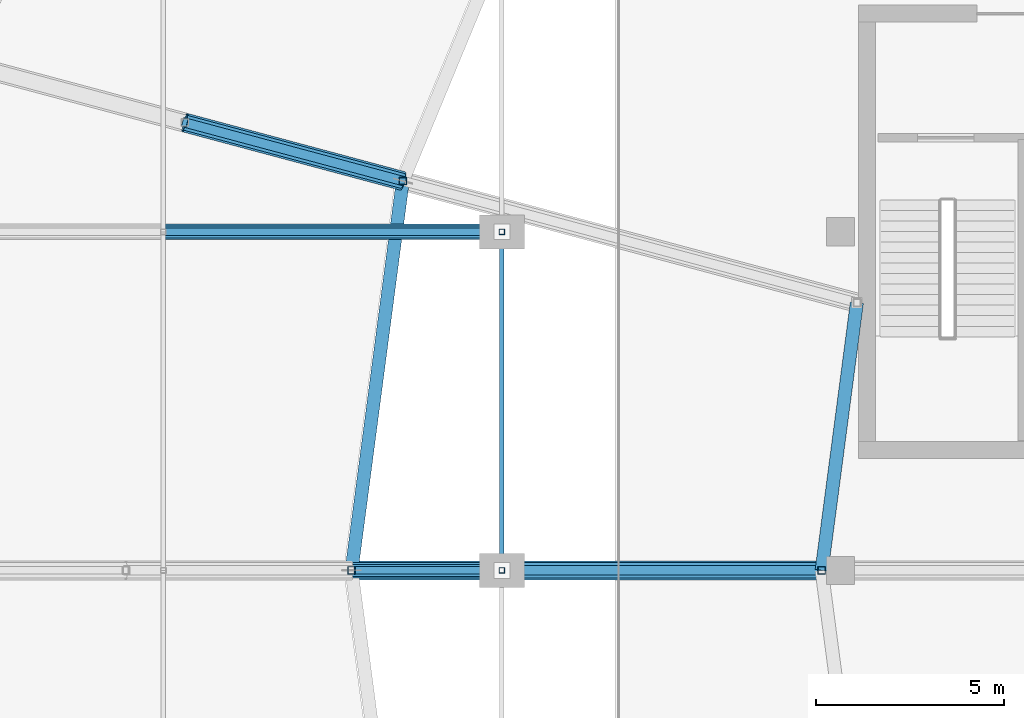
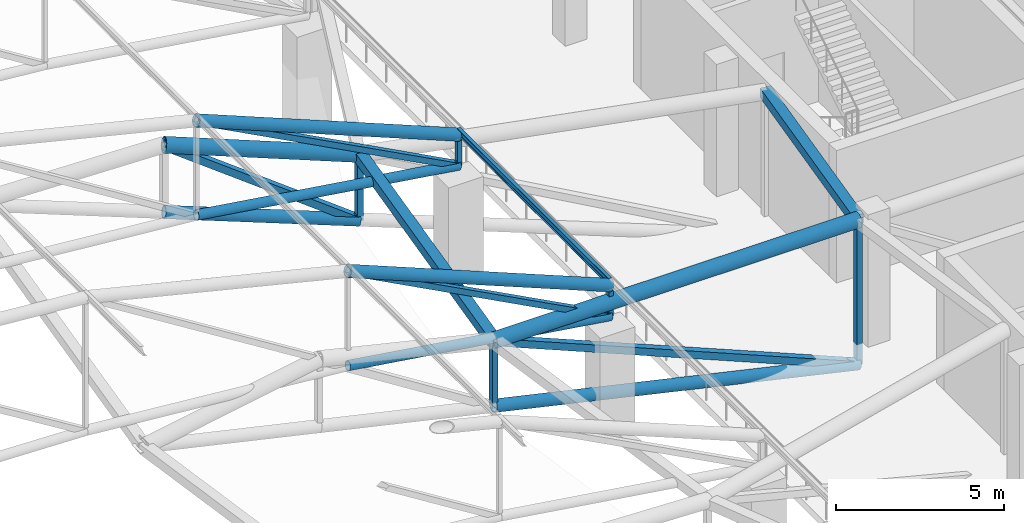
# One storey, part 51 of 167: 20 members.
"""IFC4 building model written with IfcOpenShell, lengths in metres."""

from ifc_helpers import new_model, si_unit, direction, frame, origin, origin_2d, place, context, subcontext, project, spatial, hollow_rectangle, hollow_circle, i_section, extrude, material, material_profile, profile_set, type_object, element, save


model = new_model("IFC4")

# Units and contexts
model_context = context("Model", 3, precision=1e-05, world=origin(), true_north=direction((0.0, 1.0)))
body_context = subcontext(model_context, "Body", "Model", "MODEL_VIEW")
ifc_project = project(units=[si_unit("LENGTHUNIT", "METRE"), si_unit("AREAUNIT", "SQUARE_METRE"), si_unit("VOLUMEUNIT", "CUBIC_METRE"), si_unit("PLANEANGLEUNIT", "RADIAN"), si_unit("MASSUNIT", "GRAM", prefix="KILO")], contexts=[model_context])

# Site, building, storey
site_placement = place(None, origin())
site = spatial("IfcSite", under=ifc_project, at=site_placement, CompositionType="ELEMENT")
building_placement = place(site_placement, origin())
building = spatial("IfcBuilding", under=site, at=building_placement, Name="Dornveld Trade and Exhibition Forum", CompositionType="ELEMENT")
storey_placement = place(building_placement, frame((0.0, 0.0, 16.800048828125)))
storey = spatial("IfcBuildingStorey", under=building, at=storey_placement, Name="L03", CompositionType="ELEMENT", Elevation=16.800048828125)

# Members
ifc_material_1 = material(Name="Steel S355J2", Category="steel")
ifc_material_profile_1 = material_profile(ifc_material_1, hollow_circle(Radius=0.161865234375, WallThickness=0.01611328125, at=origin_2d()), Name="CHS 323.9x16")
ifc_profile_set_1 = profile_set([ifc_material_profile_1], Name="Steel S355J2")
member_type_1 = type_object("IfcMemberType", Name="MEM-ARCH-BC", PredefinedType="CHORD", material=ifc_profile_set_1)
for number, where, z_axis, x_axis, name in (
    (1, (72.0, 81.0, 5.283203125), (0.989204758987, 0.0, -0.146539908551), (0.0, 1.0, 0.0), "H3 truss 6 tie chord 6"),
    (2, (72.0, 90.0, 5.283203125), (0.989204758987, 0.0, -0.146539908551), (0.0, 1.0, 0.0), "H3 truss 7 tie chord 6"),
):
    element("IfcMember", number, at=place(storey_placement, frame(where, z_axis=z_axis, x_axis=x_axis)), inside=storey, type_object=member_type_1, Name=name, PredefinedType="CHORD", context=body_context, shape_type="SweptSolid", body=[
        extrude(hollow_circle(Radius=0.161865234375, WallThickness=0.01611328125, at=origin_2d()), origin(), (0.0, 0.0, 1.0), 9.09814453125),
    ])
ifc_material_2 = material(Name="Steel S355J2", Category="steel")
ifc_material_profile_2 = material_profile(ifc_material_2, hollow_rectangle(XDim=0.14990234375, YDim=0.14990234375, WallThickness=0.008056640625, at=origin_2d()), Name="SHS 150x150x8")
ifc_profile_set_2 = profile_set([ifc_material_profile_2], Name="Steel S355J2")
member_type_2 = type_object("IfcMemberType", Name="MEM-ARCH-STR", PredefinedType="STRUT", material=ifc_profile_set_2)
for number, where, z_axis, x_axis, name in (
    (3, (81.0, 81.0, 3.949951171875), (0.0, 0.0, 1.0), (1.0, 0.0, 0.0), "H3 truss 6 end strut"),
    (4, (81.0, 90.0, 3.949951171875), (0.0, 0.0, 1.0), (1.0, 0.0, 0.0), "H3 truss 7 end strut"),
):
    element("IfcMember", number, at=place(storey_placement, frame(where, z_axis=z_axis, x_axis=x_axis)), inside=storey, type_object=member_type_2, Name=name, PredefinedType="STRUT", context=body_context, shape_type="SweptSolid", body=[
        extrude(hollow_rectangle(XDim=0.14990234375, YDim=0.14990234375, WallThickness=0.008056640625, at=origin_2d()), origin(), (0.0, 0.0, 1.0), 1.10009765625),
    ])
ifc_material_3 = material(Name="Steel S355J2", Category="steel")
ifc_material_profile_3 = material_profile(ifc_material_3, hollow_circle(Radius=0.203125, WallThickness=0.02001953125, at=origin_2d()), Name="CHS 406.4x20")
ifc_profile_set_3 = profile_set([ifc_material_profile_3], Name="Steel S355J2")
member_type_3 = type_object("IfcMemberType", Name="MEM-ARCH-TC", PredefinedType="CHORD", material=ifc_profile_set_3)
for number, where, z_axis, x_axis, name in (
    (5, (72.0, 81.0, 8.716552734375), (0.926098211611, 0.0, -0.377282523383), (0.0, 1.0, 0.0), "H3 truss 6 top chord 6"),
    (6, (72.0, 90.0, 8.716552734375), (0.926098211611, 0.0, -0.377282523383), (0.0, 1.0, 0.0), "H3 truss 7 top chord 6"),
):
    element("IfcMember", number, at=place(storey_placement, frame(where, z_axis=z_axis, x_axis=x_axis)), inside=storey, type_object=member_type_3, Name=name, PredefinedType="CHORD", context=body_context, shape_type="SweptSolid", body=[
        extrude(hollow_circle(Radius=0.203125, WallThickness=0.02001953125, at=origin_2d()), origin(), (0.0, 0.0, 1.0), 9.71826171875),
    ])
ifc_material_4 = material(Name="Steel S355J2", Category="steel")
ifc_material_profile_4 = material_profile(ifc_material_4, hollow_rectangle(XDim=0.199951171875, YDim=0.199951171875, WallThickness=0.010009765625, at=origin_2d()), Name="SHS 200x200x10")
ifc_profile_set_4 = profile_set([ifc_material_profile_4], Name="Steel S355J2")
member_type_4 = type_object("IfcMemberType", Name="MEM-ARCH-WEB", PredefinedType="BRACE", material=ifc_profile_set_4)
for number, where, z_axis, x_axis, name in (
    (7, (81.0, 81.0, 3.949951171875), (-0.883710934211, 0.0, 0.468033102201), (0.0, -1.0, 0.0), "H3 truss 6 web 6"),
    (8, (81.0, 90.0, 3.949951171875), (-0.883710934211, 0.0, 0.468033102201), (0.0, -1.0, 0.0), "H3 truss 7 web 6"),
):
    element("IfcMember", number, at=place(storey_placement, frame(where, z_axis=z_axis, x_axis=x_axis)), inside=storey, type_object=member_type_4, Name=name, PredefinedType="BRACE", context=body_context, shape_type="SweptSolid", body=[
        extrude(hollow_rectangle(XDim=0.199951171875, YDim=0.199951171875, WallThickness=0.010009765625, at=origin_2d()), origin(), (0.0, 0.0, 1.0), 10.184326171875),
    ])
ifc_material_5 = material(Name="Steel S355J2", Category="steel")
ifc_material_profile_5 = material_profile(ifc_material_5, hollow_circle(Radius=0.203125, WallThickness=0.02001953125, at=origin_2d()), Name="CHS 406.4x20")
ifc_profile_set_5 = profile_set([ifc_material_profile_5], Name="Steel S355J2")
member_type_5 = type_object("IfcMemberType", Name="MEM-DISC-BC", PredefinedType="CHORD", material=ifc_profile_set_5)
member_1_placement = place(storey_placement, frame((78.363037109375, 91.352783203125, 2.07568359375), z_axis=(-0.941958781399, 0.252403210265, 0.221373606362), x_axis=(-0.258824896092, -0.965924258502, 0.0)))
element("IfcMember", 9, at=member_1_placement, inside=storey, type_object=member_type_5, Name="Roof disc radial R12 conical bottom chord 3", PredefinedType="CHORD", context=body_context, shape_type="SweptSolid", body=[
    extrude(hollow_circle(Radius=0.203125, WallThickness=0.02001953125, at=origin_2d()), origin(), (0.0, 0.0, 1.0), 6.15283203125),
])
member_2_placement = place(storey_placement, frame((89.5, 81.0, -0.76220703125), z_axis=(-0.975183720687, 0.0, 0.221397179087), x_axis=(0.0, -1.0, 0.0)))
element("IfcMember", 10, at=member_2_placement, inside=storey, type_object=member_type_5, Name="Roof disc radial R13 conical bottom chord 2", PredefinedType="CHORD", context=body_context, shape_type="SweptSolid", body=[
    extrude(hollow_circle(Radius=0.203125, WallThickness=0.02001953125, at=origin_2d()), origin(), (0.0, 0.0, 1.0), 12.818115234375),
])
ifc_material_6 = material(Name="Steel S355J2", Category="steel")
ifc_material_profile_6 = material_profile(ifc_material_6, hollow_rectangle(XDim=0.35009765625, YDim=0.35009765625, WallThickness=0.01611328125, at=origin_2d()), Name="SHS 350x350x16")
ifc_profile_set_6 = profile_set([ifc_material_profile_6], Name="Steel S355J2")
member_type_6 = type_object("IfcMemberType", Name="MEM-DISC-RING", PredefinedType="CHORD", material=ifc_profile_set_6)
member_3_placement = place(storey_placement, frame((90.43701171875, 88.117431640625, 4.449951171875), z_axis=(-0.130524010575, -0.99144514859, 0.0), x_axis=(0.99144514859, -0.130524010575, 0.0)))
element("IfcMember", 11, at=member_3_placement, inside=storey, type_object=member_type_6, Name="Roof disc ring 2 chord 12", PredefinedType="CHORD", context=body_context, shape_type="SweptSolid", body=[
    extrude(hollow_rectangle(XDim=0.35009765625, YDim=0.35009765625, WallThickness=0.01611328125, at=origin_2d()), origin(), (0.0, 0.0, 1.0), 7.178955078125),
])
member_4_placement = place(storey_placement, frame((78.363037109375, 91.352783203125, 4.449951171875), z_axis=(-0.130532531574, -0.991444026761, 0.0), x_axis=(0.991444026761, -0.130532531574, 0.0)))
element("IfcMember", 12, at=member_4_placement, inside=storey, type_object=member_type_6, Name="Roof disc ring 3 chord 12", PredefinedType="CHORD", context=body_context, shape_type="SweptSolid", body=[
    extrude(hollow_rectangle(XDim=0.35009765625, YDim=0.35009765625, WallThickness=0.01611328125, at=origin_2d()), origin(), (0.0, 0.0, 1.0), 10.442138671875),
])
ifc_material_7 = material(Name="Steel S355J2", Category="steel")
ifc_material_profile_7 = material_profile(ifc_material_7, hollow_rectangle(XDim=0.199951171875, YDim=0.199951171875, WallThickness=0.010009765625, at=origin_2d()), Name="SHS 200x200x10")
ifc_profile_set_7 = profile_set([ifc_material_profile_7], Name="Steel S355J2")
member_type_7 = type_object("IfcMemberType", Name="MEM-DISC-STR", PredefinedType="STRUT", material=ifc_profile_set_7)
member_5_placement = place(storey_placement, frame((78.363037109375, 91.352783203125, 2.07568359375), z_axis=(0.0, 0.0, 1.0), x_axis=(1.0, 0.0, 0.0)))
element("IfcMember", 13, at=member_5_placement, inside=storey, type_object=member_type_7, Name="Roof disc radial R12 strut 3", PredefinedType="STRUT", context=body_context, shape_type="SweptSolid", body=[
    extrude(hollow_rectangle(XDim=0.199951171875, YDim=0.199951171875, WallThickness=0.010009765625, at=origin_2d()), origin(), (0.0, 0.0, 1.0), 2.374267578125),
])
member_6_placement = place(storey_placement, frame((89.5, 81.0, -0.76220703125), z_axis=(0.0, 0.0, 1.0), x_axis=(1.0, 0.0, 0.0)))
element("IfcMember", 14, at=member_6_placement, inside=storey, type_object=member_type_7, Name="Roof disc radial R13 strut 2", PredefinedType="STRUT", context=body_context, shape_type="SweptSolid", body=[
    extrude(hollow_rectangle(XDim=0.199951171875, YDim=0.199951171875, WallThickness=0.010009765625, at=origin_2d()), origin(), (0.0, 0.0, 1.0), 5.212158203125),
])
member_7_placement = place(storey_placement, frame((77.0, 81.0, 2.07568359375), z_axis=(0.0, 0.0, 1.0), x_axis=(1.0, 0.0, 0.0)))
element("IfcMember", 15, at=member_7_placement, inside=storey, type_object=member_type_7, Name="Roof disc radial R13 strut 3", PredefinedType="STRUT", context=body_context, shape_type="SweptSolid", body=[
    extrude(hollow_rectangle(XDim=0.199951171875, YDim=0.199951171875, WallThickness=0.010009765625, at=origin_2d()), origin(), (0.0, 0.0, 1.0), 2.374267578125),
])
ifc_material_8 = material(Name="Steel S355J2", Category="steel")
ifc_material_profile_8 = material_profile(ifc_material_8, hollow_circle(Radius=0.25390625, WallThickness=0.02490234375, at=origin_2d()), Name="CHS 508x25")
ifc_profile_set_8 = profile_set([ifc_material_profile_8], Name="Steel S355J2")
member_type_8 = type_object("IfcMemberType", Name="MEM-DISC-TC", PredefinedType="CHORD", material=ifc_profile_set_8)
member_8_placement = place(storey_placement, frame((78.363037109375, 91.352783203125, 4.449951171875), z_axis=(-0.939782238472, 0.251819993215, 0.231075821474), x_axis=(-0.258824896092, -0.965924258502, 0.0)))
element("IfcMember", 16, at=member_8_placement, inside=storey, type_object=member_type_8, Name="Roof disc radial R12 top chord 3", PredefinedType="CHORD", context=body_context, shape_type="SweptSolid", body=[
    extrude(hollow_circle(Radius=0.25390625, WallThickness=0.02490234375, at=origin_2d()), origin(), (0.0, 0.0, 1.0), 6.1669921875),
])
member_9_placement = place(storey_placement, frame((89.5, 81.0, 4.449951171875), z_axis=(-1.0, 0.0, 0.0), x_axis=(0.0, -1.0, 0.0)))
element("IfcMember", 17, at=member_9_placement, inside=storey, type_object=member_type_8, Name="Roof disc radial R13 top chord 2", PredefinedType="CHORD", context=body_context, shape_type="SweptSolid", body=[
    extrude(hollow_circle(Radius=0.25390625, WallThickness=0.02490234375, at=origin_2d()), origin(), (0.0, 0.0, 1.0), 12.5),
])
ifc_material_9 = material(Name="Steel S355J2", Category="steel")
ifc_material_profile_9 = material_profile(ifc_material_9, hollow_rectangle(XDim=0.25, YDim=0.25, WallThickness=0.012451171875, at=origin_2d()), Name="SHS 250x250x12.5")
ifc_profile_set_9 = profile_set([ifc_material_profile_9], Name="Steel S355J2")
member_type_9 = type_object("IfcMemberType", Name="MEM-DISC-WEB", PredefinedType="BRACE", material=ifc_profile_set_9)
member_10_placement = place(storey_placement, frame((78.363037109375, 91.352783203125, 2.07568359375), z_axis=(-0.816077646612, 0.218672644597, 0.534976213681), x_axis=(-0.258824896092, -0.965924258502, 0.0)))
element("IfcMember", 18, at=member_10_placement, inside=storey, type_object=member_type_9, Name="Roof disc radial R12 web 3", PredefinedType="BRACE", context=body_context, shape_type="SweptSolid", body=[
    extrude(hollow_rectangle(XDim=0.25, YDim=0.25, WallThickness=0.012451171875, at=origin_2d()), origin(), (0.0, 0.0, 1.0), 7.101806640625),
])
member_11_placement = place(storey_placement, frame((89.5, 81.0, -0.76220703125), z_axis=(-0.922976623816, 0.0, 0.384856014489), x_axis=(0.0, -1.0, 0.0)))
element("IfcMember", 19, at=member_11_placement, inside=storey, type_object=member_type_9, Name="Roof disc radial R13 web 2", PredefinedType="BRACE", context=body_context, shape_type="SweptSolid", body=[
    extrude(hollow_rectangle(XDim=0.25, YDim=0.25, WallThickness=0.012451171875, at=origin_2d()), origin(), (0.0, 0.0, 1.0), 13.543212890625),
])
ifc_material_10 = material(Name="Steel S355J2", Category="steel")
ifc_material_profile_10 = material_profile(ifc_material_10, i_section(OverallWidth=0.1201171875, OverallDepth=0.239990234375, WebThickness=0.006103515625, FlangeThickness=0.009765625, FilletRadius=0.014892578125, at=origin_2d()), Name="IPE 240")
ifc_profile_set_10 = profile_set([ifc_material_profile_10], Name="Steel S355J2")
member_type_10 = type_object("IfcMemberType", Name="MEM-PURLIN-240", PredefinedType="PURLIN", material=ifc_profile_set_10)
member_12_placement = place(storey_placement, frame((81.0, 81.0, 5.181884765625), z_axis=(0.0, 1.0, 0.0), x_axis=(-1.0, 0.0, 0.0)))
element("IfcMember", 20, at=member_12_placement, inside=storey, type_object=member_type_10, Name="H3 bay 6 roof purlin 7", PredefinedType="PURLIN", context=body_context, shape_type="SweptSolid", body=[
    extrude(i_section(OverallWidth=0.1201171875, OverallDepth=0.239990234375, WebThickness=0.006103515625, FlangeThickness=0.009765625, FilletRadius=0.014892578125, at=origin_2d()), origin(), (0.0, 0.0, 1.0), 9.0),
])

save(model, "model.ifc")
